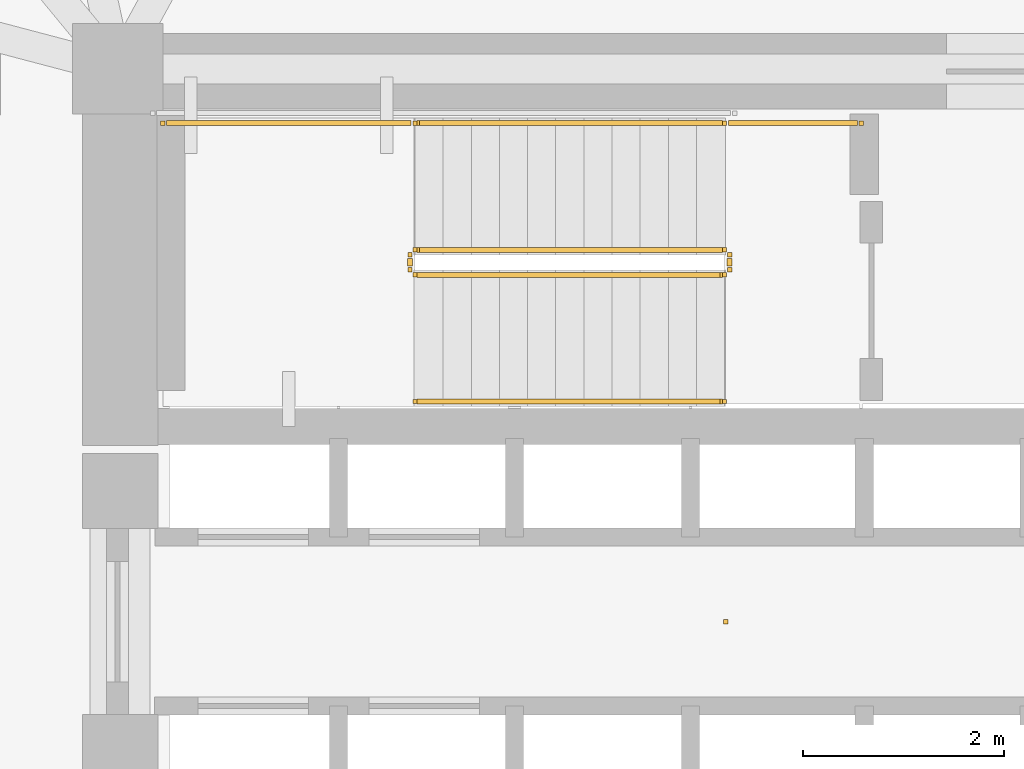
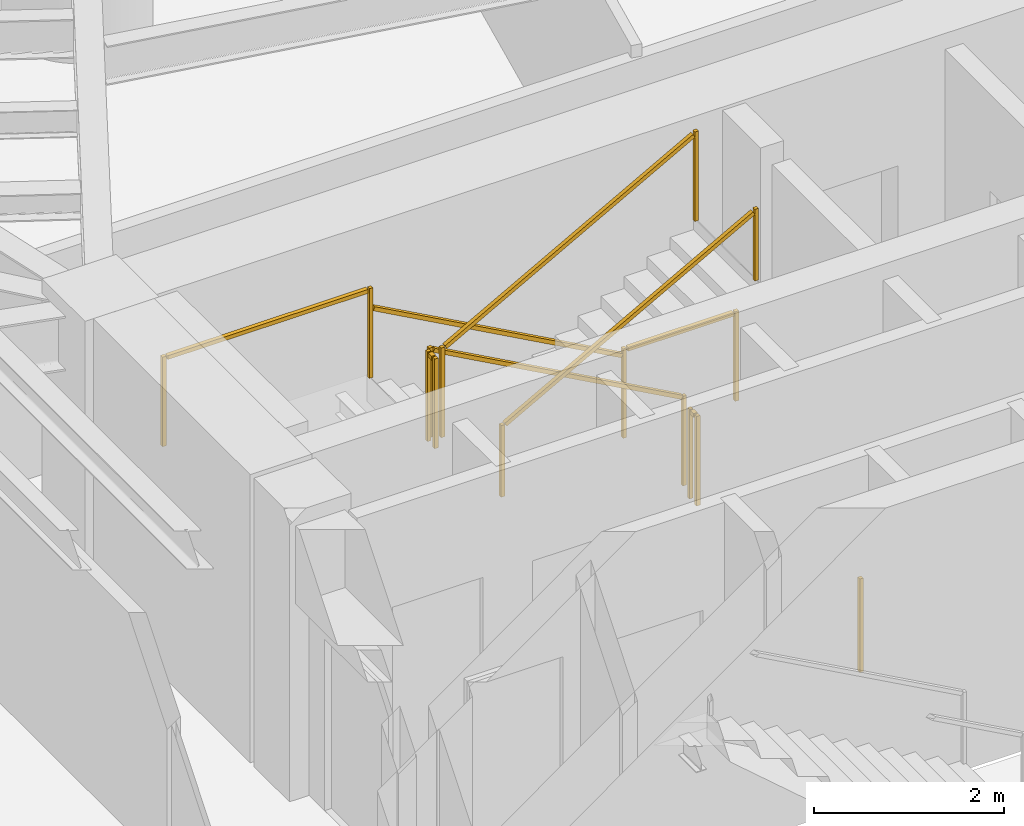
# One storey, part 9 of 10: 9 railings.
"""IFC4 building model written with IfcOpenShell, lengths in metres."""

from ifc_helpers import new_model, si_unit, direction, frame, origin, origin_2d, place, context, subcontext, project, spatial, rectangle, extrude, material, type_object, element, save


model = new_model("IFC4")

# Units and contexts
model_context = context("Model", 3, precision=1e-05, world=origin(), true_north=direction((0.0, 1.0)))
body_context = subcontext(model_context, "Body", "Model", "MODEL_VIEW")
ifc_project = project(units=[si_unit("LENGTHUNIT", "METRE"), si_unit("AREAUNIT", "SQUARE_METRE"), si_unit("VOLUMEUNIT", "CUBIC_METRE"), si_unit("PLANEANGLEUNIT", "RADIAN"), si_unit("MASSUNIT", "GRAM", prefix="KILO")], contexts=[model_context])

# Site, building, storey
site_placement = place(None, origin())
site = spatial("IfcSite", under=ifc_project, at=site_placement, CompositionType="ELEMENT")
building_placement = place(site_placement, origin())
building = spatial("IfcBuilding", under=site, at=building_placement, Name="Yunling Apex Tower", CompositionType="ELEMENT")
storey_placement = place(building_placement, frame((0.0, 0.0, 27.5)))
storey = spatial("IfcBuildingStorey", under=building, at=storey_placement, Name="L08", CompositionType="ELEMENT", Elevation=27.5)

# Railings
ifc_material_1 = material(Name="Bronze anodised aluminium", Category="aluminium")
railing_type_1 = type_object("IfcRailingType", Name="RL-BAL-1200", PredefinedType="BALUSTRADE", material=ifc_material_1)
railing_1_placement = place(storey_placement, origin())
element("IfcRailing", 1, at=railing_1_placement, inside=storey, type_object=railing_type_1, Name="RL-TATR-L08", PredefinedType="BALUSTRADE", context=body_context, shape_type="SweptSolid", body=[
    extrude(rectangle(XDim=0.0439453125, YDim=0.0439453125, at=origin_2d()), origin(), (0.0, 0.0, 1.0), 1.199951171875),
])
ifc_material_2 = material(Name="Steel Q355B", Category="steel")
railing_type_2 = type_object("IfcRailingType", Name="RL-GRD-1150", PredefinedType="GUARDRAIL", material=ifc_material_2)
railing_2_placement = place(storey_placement, frame((-0.010009765625, 3.699951171875, 0.154052734375)))
element("IfcRailing", 2, at=railing_2_placement, inside=storey, type_object=railing_type_2, Name="L08 ST-1 stair guard 1", PredefinedType="GUARDRAIL", context=body_context, shape_type="SweptSolid", body=[
    extrude(rectangle(XDim=0.0439453125, YDim=0.0439453125, at=origin_2d()), origin(), (0.0, 0.0, 1.0), 1.14990234375),
    extrude(rectangle(XDim=0.0439453125, YDim=0.0439453125, at=origin_2d()), frame((-3.080078125, 0.0, 1.696044921875)), (0.0, 0.0, 1.0), 1.14990234375),
    extrude(rectangle(XDim=0.050048828125, YDim=0.050048828125, at=origin_2d()), frame((-0.03369140625, 0.0, 1.143310546875), z_axis=(-0.875975380505, 0.0, 0.482355815502), x_axis=(0.0, -1.0, 0.0)), (0.0, 0.0, 1.0), 3.439453125),
])
railing_3_placement = place(storey_placement, frame((-3.139892578125, 3.64990234375, 1.85009765625)))
element("IfcRailing", 3, at=railing_3_placement, inside=storey, type_object=railing_type_2, Name="L08 ST-1 stair guard 2", PredefinedType="GUARDRAIL", context=body_context, shape_type="SweptSolid", body=[
    extrude(rectangle(XDim=0.0439453125, YDim=0.0439453125, at=origin_2d()), origin(), (0.0, 0.0, 1.0), 1.14990234375),
    extrude(rectangle(XDim=0.0439453125, YDim=0.0439453125, at=origin_2d()), frame((0.0, -0.14990234375, 0.0)), (0.0, 0.0, 1.0), 1.14990234375),
    extrude(rectangle(XDim=0.050048828125, YDim=0.050048828125, at=origin_2d()), frame((0.0, -0.038330078125, 1.125), z_axis=(0.0, -1.0, 0.0), x_axis=(1.0, 0.0, 0.0)), (0.0, 0.0, 1.0), 0.0732421875),
])
railing_4_placement = place(storey_placement, frame((-3.090087890625, 4.9599609375, 1.85009765625)))
element("IfcRailing", 4, at=railing_4_placement, inside=storey, type_object=railing_type_2, Name="L08 ST-1 stair guard 3", PredefinedType="GUARDRAIL", context=body_context, shape_type="SweptSolid", body=[
    extrude(rectangle(XDim=0.0439453125, YDim=0.0439453125, at=origin_2d()), origin(), (0.0, 0.0, 1.0), 1.14990234375),
    extrude(rectangle(XDim=0.0439453125, YDim=0.0439453125, at=origin_2d()), frame((-2.510009765625, 0.0, 0.0)), (0.0, 0.0, 1.0), 1.14990234375),
    extrude(rectangle(XDim=0.050048828125, YDim=0.050048828125, at=origin_2d()), frame((-0.038330078125, 0.0, 1.125), z_axis=(-1.0, 0.0, 0.0), x_axis=(0.0, -1.0, 0.0)), (0.0, 0.0, 1.0), 2.433349609375),
])
railing_5_placement = place(storey_placement, frame((-3.090087890625, 3.449951171875, 2.004150390625)))
element("IfcRailing", 5, at=railing_5_placement, inside=storey, type_object=railing_type_2, Name="L08 ST-1 stair guard 4", PredefinedType="GUARDRAIL", context=body_context, shape_type="SweptSolid", body=[
    extrude(rectangle(XDim=0.0439453125, YDim=0.0439453125, at=origin_2d()), origin(), (0.0, 0.0, 1.0), 1.14990234375),
    extrude(rectangle(XDim=0.0439453125, YDim=0.0439453125, at=origin_2d()), frame((3.080078125, 0.0, 1.69580078125)), (0.0, 0.0, 1.0), 1.14990234375),
    extrude(rectangle(XDim=0.050048828125, YDim=0.050048828125, at=origin_2d()), frame((0.03369140625, 0.0, 1.143310546875), z_axis=(0.876004717809, 0.0, 0.482302534076), x_axis=(0.0, 1.0, 0.0)), (0.0, 0.0, 1.0), 3.439453125),
])
railing_6_placement = place(storey_placement, frame((0.0400390625, 3.64990234375, 0.0)))
element("IfcRailing", 6, at=railing_6_placement, inside=storey, type_object=railing_type_2, Name="L08 ST-1 stair guard 5", PredefinedType="GUARDRAIL", context=body_context, shape_type="SweptSolid", body=[
    extrude(rectangle(XDim=0.0439453125, YDim=0.0439453125, at=origin_2d()), origin(), (0.0, 0.0, 1.0), 1.14990234375),
    extrude(rectangle(XDim=0.0439453125, YDim=0.0439453125, at=origin_2d()), frame((0.0, -0.14990234375, 0.0)), (0.0, 0.0, 1.0), 1.14990234375),
    extrude(rectangle(XDim=0.050048828125, YDim=0.050048828125, at=origin_2d()), frame((0.0, -0.038330078125, 1.125), z_axis=(0.0, -1.0, 0.0), x_axis=(1.0, 0.0, 0.0)), (0.0, 0.0, 1.0), 0.0732421875),
])
railing_7_placement = place(storey_placement, frame((1.35009765625, 4.9599609375, 0.0)))
element("IfcRailing", 7, at=railing_7_placement, inside=storey, type_object=railing_type_2, Name="L08 ST-1 stair guard 6", PredefinedType="GUARDRAIL", context=body_context, shape_type="SweptSolid", body=[
    extrude(rectangle(XDim=0.0439453125, YDim=0.0439453125, at=origin_2d()), origin(), (0.0, 0.0, 1.0), 1.14990234375),
    extrude(rectangle(XDim=0.0439453125, YDim=0.0439453125, at=origin_2d()), frame((-1.360107421875, 0.0, 0.0)), (0.0, 0.0, 1.0), 1.14990234375),
    extrude(rectangle(XDim=0.050048828125, YDim=0.050048828125, at=origin_2d()), frame((-0.038330078125, 0.0, 1.125), z_axis=(-1.0, 0.0, 0.0), x_axis=(0.0, -1.0, 0.0)), (0.0, 0.0, 1.0), 1.283447265625),
])
ifc_material_3 = material(Name="Silver anodised aluminium", Category="aluminium")
railing_type_3 = type_object("IfcRailingType", Name="RL-HND-900", PredefinedType="HANDRAIL", material=ifc_material_3)
railing_8_placement = place(storey_placement, frame((-0.010009765625, 4.9599609375, 0.154052734375)))
element("IfcRailing", 8, at=railing_8_placement, inside=storey, type_object=railing_type_3, Name="L08 ST-1 stair handrail 1", PredefinedType="HANDRAIL", context=body_context, shape_type="SweptSolid", body=[
    extrude(rectangle(XDim=0.0439453125, YDim=0.0439453125, at=origin_2d()), origin(), (0.0, 0.0, 1.0), 0.919921875),
    extrude(rectangle(XDim=0.0439453125, YDim=0.0439453125, at=origin_2d()), frame((-3.080078125, 0.0, 1.696044921875)), (0.0, 0.0, 1.0), 0.919921875),
    extrude(rectangle(XDim=0.050048828125, YDim=0.050048828125, at=origin_2d()), frame((-0.03369140625, 0.0, 0.913330078125), z_axis=(-0.875975380505, 0.0, 0.482355815502), x_axis=(0.0, -1.0, 0.0)), (0.0, 0.0, 1.0), 3.439453125),
])
railing_9_placement = place(storey_placement, frame((-3.090087890625, 2.18994140625, 2.004150390625)))
element("IfcRailing", 9, at=railing_9_placement, inside=storey, type_object=railing_type_3, Name="L08 ST-1 stair handrail 2", PredefinedType="HANDRAIL", context=body_context, shape_type="SweptSolid", body=[
    extrude(rectangle(XDim=0.0439453125, YDim=0.0439453125, at=origin_2d()), origin(), (0.0, 0.0, 1.0), 0.919921875),
    extrude(rectangle(XDim=0.0439453125, YDim=0.0439453125, at=origin_2d()), frame((3.080078125, 0.0, 1.69580078125)), (0.0, 0.0, 1.0), 0.919921875),
    extrude(rectangle(XDim=0.050048828125, YDim=0.050048828125, at=origin_2d()), frame((0.03369140625, 0.0, 0.913330078125), z_axis=(0.876004717809, 0.0, 0.482302534076), x_axis=(0.0, 1.0, 0.0)), (0.0, 0.0, 1.0), 3.439453125),
])

save(model, "model.ifc")
